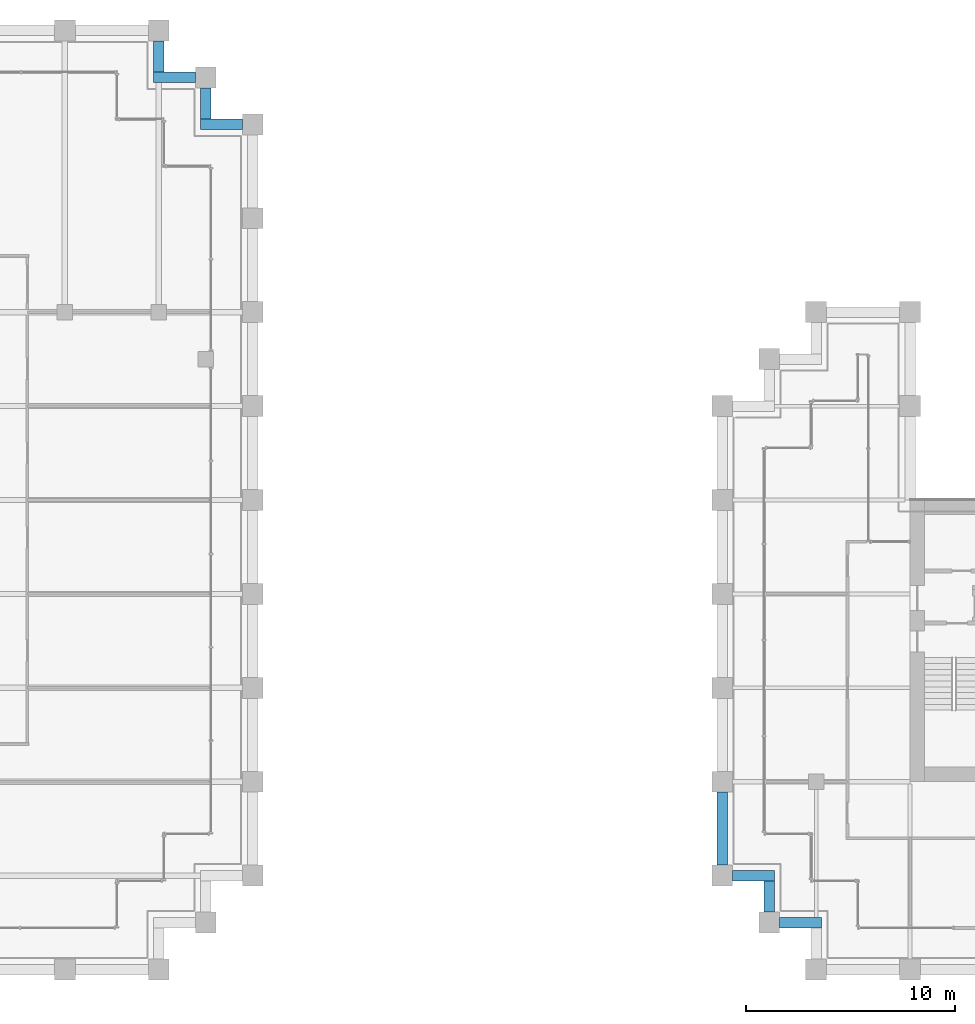
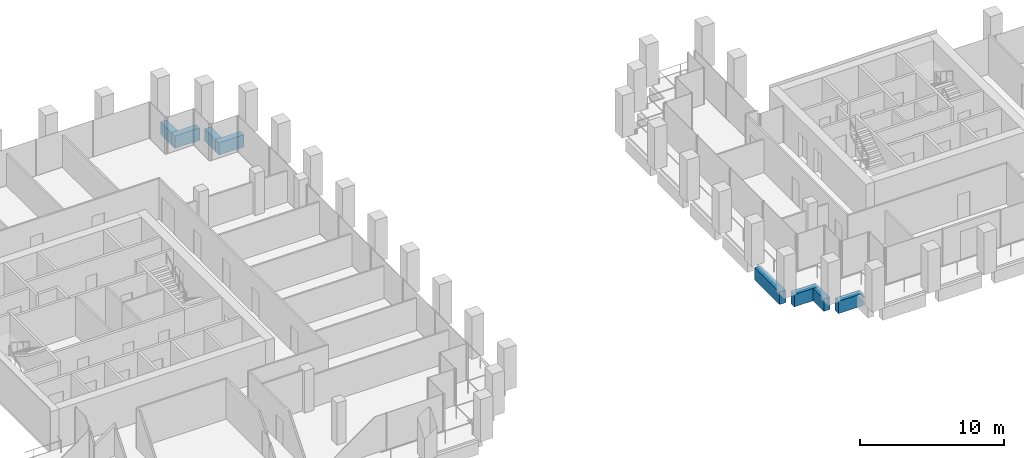
# One storey, part 27 of 46: 8 beams.
"""IFC4 building model written with IfcOpenShell, lengths in metres."""

from ifc_helpers import new_model, si_unit, direction, frame, origin, origin_2d, place, context, subcontext, project, spatial, rectangle, extrude, material, material_profile, profile_set, type_object, element, save


model = new_model("IFC4")

# Units and contexts
model_context = context("Model", 3, precision=1e-05, world=origin(), true_north=direction((0.0, 1.0)))
body_context = subcontext(model_context, "Body", "Model", "MODEL_VIEW")
ifc_project = project(units=[si_unit("LENGTHUNIT", "METRE"), si_unit("AREAUNIT", "SQUARE_METRE"), si_unit("VOLUMEUNIT", "CUBIC_METRE"), si_unit("PLANEANGLEUNIT", "RADIAN"), si_unit("MASSUNIT", "GRAM", prefix="KILO")], contexts=[model_context])

# Site, building, storey
site_placement = place(None, origin())
site = spatial("IfcSite", under=ifc_project, at=site_placement, CompositionType="ELEMENT")
building_placement = place(site_placement, origin())
building = spatial("IfcBuilding", under=site, at=building_placement, Name="Altepetl Exchange Towers", CompositionType="ELEMENT")
storey_placement = place(building_placement, frame((0.0, 0.0, 131.60009765625)))
storey = spatial("IfcBuildingStorey", under=building, at=storey_placement, Name="L32", CompositionType="ELEMENT", Elevation=131.60009765625)

# Beams
ifc_material_1 = material(Name="Concrete C50/60 precast with cantera rosa facing", Category="concrete")
ifc_material_profile_1 = material_profile(ifc_material_1, rectangle(XDim=0.5, YDim=1.050048828125, at=origin_2d()), Name="500 x 1050")
ifc_profile_set_1 = profile_set([ifc_material_profile_1], Name="Concrete C50/60 precast with cantera rosa facing")
beam_type_1 = type_object("IfcBeamType", Name="Spandrel beam 500x1050 cantera rosa", PredefinedType="SPANDREL", material=ifc_profile_set_1)
beam_1_placement = place(storey_placement, frame((71.5, 67.5, -0.675048828125), z_axis=(-1.0, 0.0, 0.0), x_axis=(0.0, -1.0, 0.0)))
element("IfcBeam", 1, at=beam_1_placement, inside=storey, type_object=beam_type_1, Name="sp:A:L32:020", PredefinedType="SPANDREL", context=body_context, shape_type="SweptSolid", body=[
    extrude(rectangle(XDim=0.5, YDim=1.050048828125, at=origin_2d()), origin(), (0.0, 0.0, 1.0), 2.0),
])
beam_2_placement = place(storey_placement, frame((69.75, 67.75, -0.675048828125), z_axis=(0.0, 1.0, 0.0), x_axis=(-1.0, 0.0, 0.0)))
element("IfcBeam", 2, at=beam_2_placement, inside=storey, type_object=beam_type_1, Name="sp:A:L32:021", PredefinedType="SPANDREL", context=body_context, shape_type="SweptSolid", body=[
    extrude(rectangle(XDim=0.5, YDim=1.050048828125, at=origin_2d()), origin(), (0.0, 0.0, 1.0), 1.5),
])
beam_3_placement = place(storey_placement, frame((69.25, 69.75, -0.675048828125), z_axis=(-1.0, 0.0, 0.0), x_axis=(0.0, -1.0, 0.0)))
element("IfcBeam", 3, at=beam_3_placement, inside=storey, type_object=beam_type_1, Name="sp:A:L32:022", PredefinedType="SPANDREL", context=body_context, shape_type="SweptSolid", body=[
    extrude(rectangle(XDim=0.5, YDim=1.050048828125, at=origin_2d()), origin(), (0.0, 0.0, 1.0), 2.0),
])
beam_4_placement = place(storey_placement, frame((67.5, 70.0, -0.675048828125), z_axis=(0.0, 1.0, 0.0), x_axis=(-1.0, 0.0, 0.0)))
element("IfcBeam", 4, at=beam_4_placement, inside=storey, type_object=beam_type_1, Name="sp:A:L32:023", PredefinedType="SPANDREL", context=body_context, shape_type="SweptSolid", body=[
    extrude(rectangle(XDim=0.5, YDim=1.050048828125, at=origin_2d()), origin(), (0.0, 0.0, 1.0), 1.5),
])
ifc_material_2 = material(Name="Concrete C50/60 precast with tezontle facing", Category="concrete")
ifc_material_profile_2 = material_profile(ifc_material_2, rectangle(XDim=0.5, YDim=1.050048828125, at=origin_2d()), Name="500 x 1050")
ifc_profile_set_2 = profile_set([ifc_material_profile_2], Name="Concrete C50/60 precast with tezontle facing")
beam_type_2 = type_object("IfcBeamType", Name="Spandrel beam 500x1050 tezontle", PredefinedType="SPANDREL", material=ifc_profile_set_2)
beam_5_placement = place(storey_placement, frame((94.5, 35.5, -0.675048828125), z_axis=(0.0, -1.0, 0.0), x_axis=(1.0, 0.0, 0.0)))
element("IfcBeam", 5, at=beam_5_placement, inside=storey, type_object=beam_type_2, Name="sp:B:L32:026", PredefinedType="SPANDREL", context=body_context, shape_type="SweptSolid", body=[
    extrude(rectangle(XDim=0.5, YDim=1.050048828125, at=origin_2d()), origin(), (0.0, 0.0, 1.0), 3.5),
])
beam_6_placement = place(storey_placement, frame((95.0, 31.5, -0.675048828125), z_axis=(1.0, 0.0, 0.0), x_axis=(0.0, 1.0, 0.0)))
element("IfcBeam", 6, at=beam_6_placement, inside=storey, type_object=beam_type_2, Name="sp:B:L32:027", PredefinedType="SPANDREL", context=body_context, shape_type="SweptSolid", body=[
    extrude(rectangle(XDim=0.5, YDim=1.050048828125, at=origin_2d()), origin(), (0.0, 0.0, 1.0), 2.0),
])
beam_7_placement = place(storey_placement, frame((96.75, 31.25, -0.675048828125), z_axis=(0.0, -1.0, 0.0), x_axis=(1.0, 0.0, 0.0)))
element("IfcBeam", 7, at=beam_7_placement, inside=storey, type_object=beam_type_2, Name="sp:B:L32:028", PredefinedType="SPANDREL", context=body_context, shape_type="SweptSolid", body=[
    extrude(rectangle(XDim=0.5, YDim=1.050048828125, at=origin_2d()), origin(), (0.0, 0.0, 1.0), 1.5),
])
beam_8_placement = place(storey_placement, frame((97.25, 29.25, -0.675048828125), z_axis=(1.0, 0.0, 0.0), x_axis=(0.0, 1.0, 0.0)))
element("IfcBeam", 8, at=beam_8_placement, inside=storey, type_object=beam_type_2, Name="sp:B:L32:029", PredefinedType="SPANDREL", context=body_context, shape_type="SweptSolid", body=[
    extrude(rectangle(XDim=0.5, YDim=1.050048828125, at=origin_2d()), origin(), (0.0, 0.0, 1.0), 2.0),
])

save(model, "model.ifc")
